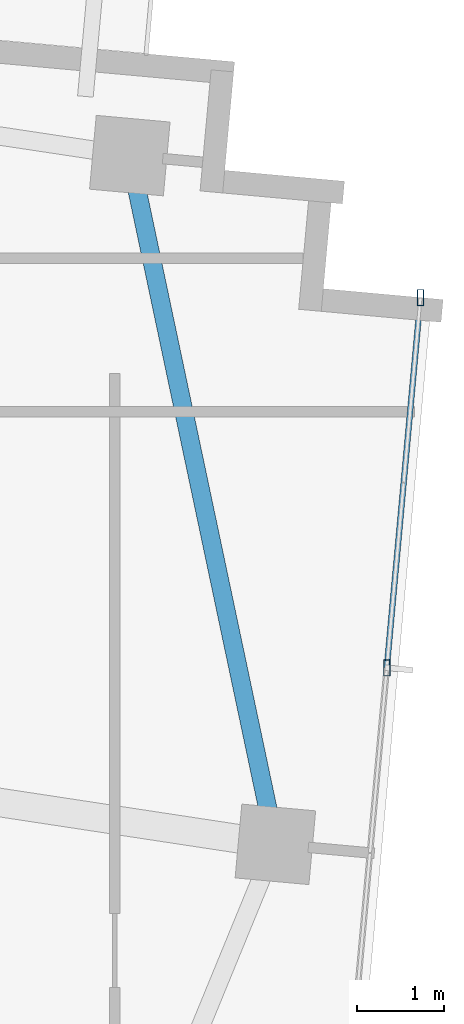
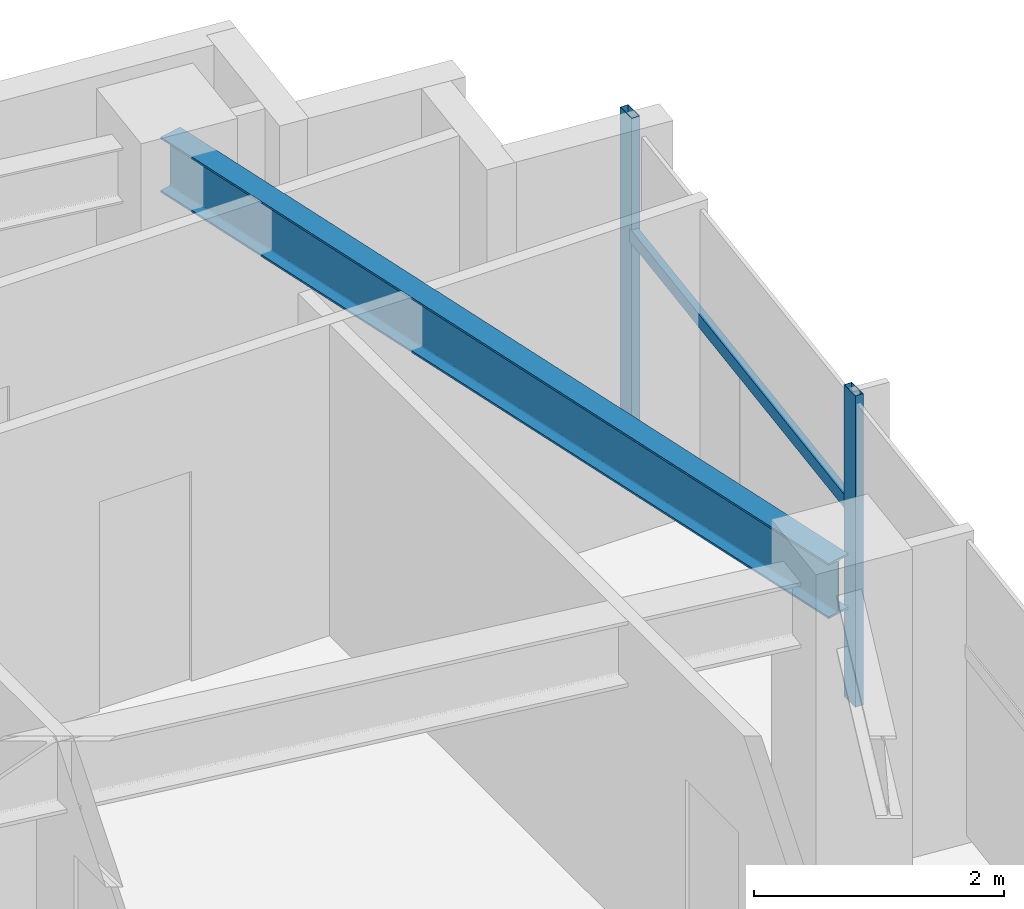
# One storey, part 14 of 22: 3 members, 1 beam, 1 element without a shape of its own.
"""IFC4 building model written with IfcOpenShell, lengths in metres."""

import ifcopenshell
import ifcopenshell.guid

model = None  # the IFC model being written
_history = None  # IfcOwnerHistory: only IFC2X3 demands one
_inside = {}  # id of a spatial element -> (the spatial element, [elements in it])
_under = {}  # id of a project, library or spatial element -> (it, [spatial elements below it])
_declared = {}  # id of a project -> (the project, [libraries it declares])
_typed = {}  # id of a type object -> (the type object, [elements of that type])
_made_of = {}  # id of a material, layer set ... -> (it, [elements and type objects made of it])


def new_model(schema):
    """Start an empty IFC model of exactly this schema.

    Asked for "IFC4X3", IfcOpenShell would pick the latest addendum, in which some entities
    have other attributes; the version numbers below select the first issue.
    IFC2X3 requires an IfcOwnerHistory on every rooted entity: one is made here for all.
    """
    global model, _history
    if schema == "IFC4X3":
        model = ifcopenshell.file(schema_version=(4, 3, 0, 0))
    else:
        model = ifcopenshell.file(schema=schema)
    _inside.clear()
    _under.clear()
    _declared.clear()
    _typed.clear()
    _made_of.clear()
    _history = None
    if model.schema == "IFC2X3":
        org = make("IfcOrganization", Name="unknown")
        user = make(
            "IfcPersonAndOrganization",
            ThePerson=make("IfcPerson", FamilyName="unknown"),
            TheOrganization=org,
        )
        app = make(
            "IfcApplication",
            ApplicationDeveloper=org,
            Version="unknown",
            ApplicationFullName="unknown",
            ApplicationIdentifier="unknown",
        )
        _history = make(
            "IfcOwnerHistory",
            OwningUser=user,
            OwningApplication=app,
            ChangeAction="ADDED",
            CreationDate=0,
        )
    return model


def make(cls, **values):
    """One entity of the class cls with the attributes given. An attribute that is None is left unset."""
    return model.create_entity(
        cls, **{name: value for name, value in values.items() if value is not None}
    )


def rooted(cls, **values):
    """An entity with a GlobalId (a new one), such as an element, a storey or a relation."""
    return make(cls, GlobalId=ifcopenshell.guid.new(), OwnerHistory=_history, **values)


def si_unit(unit_type, name, prefix=None):
    """IfcSIUnit, for example si_unit("LENGTHUNIT", "METRE", prefix="MILLI")."""
    return make("IfcSIUnit", UnitType=unit_type, Prefix=prefix, Name=name)


def assignment(units):
    """IfcUnitAssignment: the units of a project."""
    return None if units is None else make("IfcUnitAssignment", Units=units)


def point(xyz):
    """IfcCartesianPoint."""
    return None if xyz is None else make("IfcCartesianPoint", Coordinates=xyz)


def direction(xyz):
    """IfcDirection."""
    return None if xyz is None else make("IfcDirection", DirectionRatios=xyz)


def frame(location, z_axis=None, x_axis=None):
    """IfcAxis2Placement3D, a coordinate frame: its origin and axes. An axis left out is left unset."""
    return make(
        "IfcAxis2Placement3D",
        Location=point(location),
        Axis=direction(z_axis),
        RefDirection=direction(x_axis),
    )


def frame_2d(location, x_axis=None):
    """IfcAxis2Placement2D, a coordinate frame in the plane: its origin and x axis."""
    return make(
        "IfcAxis2Placement2D", Location=point(location), RefDirection=direction(x_axis)
    )


def origin():
    """The frame at (0, 0, 0) with its axes left unset."""
    return frame((0.0, 0.0, 0.0))


def origin_2d():
    """The frame at (0, 0) in the plane with its x axis left unset."""
    return frame_2d((0.0, 0.0))


def place(relative_to, where):
    """IfcLocalPlacement: puts the frame where relative to a parent placement (None: the world)."""
    return make(
        "IfcLocalPlacement", PlacementRelTo=relative_to, RelativePlacement=where
    )


def context(
    kind, dimensions, precision=None, world=None, true_north=None, identifier=None
):
    """IfcGeometricRepresentationContext, for example the 3D "Model" context."""
    return make(
        "IfcGeometricRepresentationContext",
        ContextIdentifier=identifier,
        ContextType=kind,
        CoordinateSpaceDimension=dimensions,
        Precision=precision,
        WorldCoordinateSystem=world,
        TrueNorth=true_north,
    )


def subcontext(parent, identifier, kind, view, scale=None):
    """IfcGeometricRepresentationSubContext, for example "Body" below "Model"."""
    return make(
        "IfcGeometricRepresentationSubContext",
        ContextIdentifier=identifier,
        ContextType=kind,
        ParentContext=parent,
        TargetScale=scale,
        TargetView=view,
    )


def project(units=None, contexts=None):
    """IfcProject with its units and contexts."""
    return rooted(
        "IfcProject",
        Name="project",
        RepresentationContexts=contexts,
        UnitsInContext=assignment(units),
    )


def spatial(cls, under=None, at=None, **own):
    """A site, building, storey or space (cls), placed at a placement, below another one or the project."""
    s = rooted(cls, ObjectPlacement=at, **own)
    if under is not None:
        _under.setdefault(under.id(), (under, []))[1].append(s)
    return s


def profile(cls, at=None, kind="AREA", **sizes):
    """A parametric profile (cls). Its sizes go by their IFC names, for example OverallWidth=200.0."""
    return make(cls, ProfileType=kind, Position=at, **sizes)


def hollow_rectangle(**sizes):
    """IfcRectangleHollowProfileDef."""
    return profile("IfcRectangleHollowProfileDef", **sizes)


def i_section(**sizes):
    """IfcIShapeProfileDef."""
    return profile("IfcIShapeProfileDef", **sizes)


def extrude(swept, where, along, depth):
    """IfcExtrudedAreaSolid: the profile swept, set in the frame where, extruded along a direction by depth."""
    return make(
        "IfcExtrudedAreaSolid",
        SweptArea=swept,
        Position=where,
        ExtrudedDirection=direction(along),
        Depth=depth,
    )


def shape(context_of_items, identifier, shape_type, items):
    """IfcShapeRepresentation: the items that make up one representation, for example the "Body"."""
    return make(
        "IfcShapeRepresentation",
        ContextOfItems=context_of_items,
        RepresentationIdentifier=identifier,
        RepresentationType=shape_type,
        Items=items,
    )


def source(mapping_origin, context_of_items, identifier, shape_type, items):
    """IfcRepresentationMap: a shape defined once, which mapped items show again and again."""
    return make(
        "IfcRepresentationMap",
        MappingOrigin=mapping_origin,
        MappedRepresentation=shape(context_of_items, identifier, shape_type, items),
    )


def transform(
    local_origin,
    x_axis=None,
    y_axis=None,
    z_axis=None,
    scale=None,
    scale2=None,
    scale3=None,
    uniform=True,
):
    """IfcCartesianTransformationOperator3D, or its non-uniform kind. x_axis, y_axis, z_axis: its Axis1, 2, 3."""
    if uniform:
        return make(
            "IfcCartesianTransformationOperator3D",
            Axis1=direction(x_axis),
            Axis2=direction(y_axis),
            LocalOrigin=point(local_origin),
            Scale=scale,
            Axis3=direction(z_axis),
        )
    return make(
        "IfcCartesianTransformationOperator3DnonUniform",
        Axis1=direction(x_axis),
        Axis2=direction(y_axis),
        LocalOrigin=point(local_origin),
        Scale=scale,
        Axis3=direction(z_axis),
        Scale2=scale2,
        Scale3=scale3,
    )


def mapped(mapping_source, mapping_target):
    """IfcMappedItem: shows the shape of a source again, moved by a transform."""
    return make(
        "IfcMappedItem", MappingSource=mapping_source, MappingTarget=mapping_target
    )


def material(Name=None, Category=None):
    """IfcMaterial."""
    return make("IfcMaterial", Name=Name, Category=Category)


def material_profile(
    of_material, cross_section, Name=None, Category=None, Priority=None
):
    """IfcMaterialProfile: a cross section and its material."""
    return make(
        "IfcMaterialProfile",
        Name=Name,
        Material=of_material,
        Profile=cross_section,
        Priority=Priority,
        Category=Category,
    )


def profile_set(profiles, Name=None, composite=None):
    """IfcMaterialProfileSet."""
    return make(
        "IfcMaterialProfileSet",
        Name=Name,
        MaterialProfiles=profiles,
        CompositeProfile=composite,
    )


def made_of(thing, what):
    """Note that an element or type object is made of a material, layer set ...; save() writes the relation."""
    if what is not None:
        _made_of.setdefault(what.id(), (what, []))[1].append(thing)
    return thing


def type_object(cls, material=None, **own):
    """A type object (cls), such as IfcWallType, which elements share."""
    return made_of(rooted(cls, **own), material)


def type_shapes(of_type, sources):
    """Give a type object the sources (RepresentationMaps) that its elements show as mapped items."""
    of_type.RepresentationMaps = sources


def element(
    cls,
    number,
    at=None,
    inside=None,
    cuts=None,
    type_object=None,
    material=None,
    context=None,
    identifier="Body",
    shape_type=None,
    held_by="IfcProductDefinitionShape",
    body=None,
    shapes=None,
    **own,
):
    """One element of the class cls, such as IfcWall. Its Tag is "e" and its number.

    at: its placement. inside: the storey or other place that contains it. cuts: it is an
    opening in that element (IfcRelVoidsElement). A single representation is given by context,
    identifier, shape_type and body (its items); several are given by shapes. held_by: the class
    of the entity that holds the representations. save() writes the other relations.
    """
    e = rooted(cls, Tag="e%d" % number, ObjectPlacement=at, **own)
    if body is not None:
        shapes = [shape(context, identifier, shape_type, body)]
    if shapes is not None:
        e.Representation = make(held_by, Representations=shapes)
    if inside is not None:
        _inside.setdefault(inside.id(), (inside, []))[1].append(e)
    if cuts is not None:
        rooted(
            "IfcRelVoidsElement", RelatingBuildingElement=cuts, RelatedOpeningElement=e
        )
    if type_object is not None:
        _typed.setdefault(type_object.id(), (type_object, []))[1].append(e)
    return made_of(e, material)


def aggregate(whole, parts):
    """IfcRelAggregates: a whole, such as a stair, and the parts it consists of."""
    return rooted("IfcRelAggregates", RelatingObject=whole, RelatedObjects=parts)


def save(model, path):
    """Write the relations noted so far, then the file.

    IfcRelAggregates (storeys below a building ...), IfcRelContainedInSpatialStructure (elements
    in a storey), IfcRelDefinesByType, IfcRelAssociatesMaterial and IfcRelDeclares: one each for
    every whole, place, type object, material and project.
    """
    for whole, parts in _under.values():
        aggregate(whole, parts)
    for where, things in _inside.values():
        rooted(
            "IfcRelContainedInSpatialStructure",
            RelatedElements=things,
            RelatingStructure=where,
        )
    for kind, things in _typed.values():
        rooted("IfcRelDefinesByType", RelatedObjects=things, RelatingType=kind)
    for what, things in _made_of.values():
        rooted("IfcRelAssociatesMaterial", RelatedObjects=things, RelatingMaterial=what)
    for by, libraries in _declared.values():
        rooted("IfcRelDeclares", RelatingContext=by, RelatedDefinitions=libraries)
    model.write(path)


model = new_model("IFC4")

# Units and contexts
model_context = context("Model", 3, precision=1e-05, world=origin(), true_north=direction((0.0, 1.0)))
body_context = subcontext(model_context, "Body", "Model", "MODEL_VIEW")
ifc_project = project(units=[si_unit("LENGTHUNIT", "METRE"), si_unit("AREAUNIT", "SQUARE_METRE"), si_unit("VOLUMEUNIT", "CUBIC_METRE"), si_unit("PLANEANGLEUNIT", "RADIAN"), si_unit("MASSUNIT", "GRAM", prefix="KILO")], contexts=[model_context])

# Site, building, storey
site_placement = place(None, origin())
site = spatial("IfcSite", under=ifc_project, at=site_placement, CompositionType="ELEMENT")
building_placement = place(site_placement, origin())
building = spatial("IfcBuilding", under=site, at=building_placement, Name="Astriad Promenade Condominiums", CompositionType="ELEMENT")
storey_placement = place(building_placement, frame((0.0, 0.0, 243.0)))
storey = spatial("IfcBuildingStorey", under=building, at=storey_placement, Name="L70", CompositionType="ELEMENT", Elevation=243.0)

# Beam
ifc_material_1 = material(Name="Steel ASTM A992 Grade 50", Category="steel")
ifc_material_profile_1 = material_profile(ifc_material_1, i_section(OverallWidth=0.210693359375, OverallDepth=0.53955078125, WebThickness=0.01171875, FlangeThickness=0.018798828125, FilletRadius=0.0166015625, at=origin_2d()), Name="W21X73")
ifc_profile_set_1 = profile_set([ifc_material_profile_1], Name="Steel ASTM A992 Grade 50")
beam_type = type_object("IfcBeamType", Name="STEEL SPANDREL BEAM W21X73", PredefinedType="SPANDREL", material=ifc_profile_set_1)
shared_shape_1 = source(origin(), body_context, "Body", "SweptSolid", [
    extrude(i_section(OverallWidth=0.210693359375, OverallDepth=0.53955078125, WebThickness=0.01171875, FlangeThickness=0.018798828125, FilletRadius=0.0166015625, at=origin_2d()), origin(), (0.0, 0.0, 1.0), 7.99853515625),
])
type_shapes(beam_type, [shared_shape_1])
beam_placement = place(storey_placement, frame((54.88037109375, 16.02880859375, 2.770263671875), z_axis=(-0.20676418926, 0.978390806396, 0.0), x_axis=(-0.978390806396, -0.20676418926, 0.0)))
element("IfcBeam", 1, at=beam_placement, inside=storey, type_object=beam_type, Name="Perimeter Spandrel Beam SP-E2-L70", PredefinedType="SPANDREL", context=body_context, shape_type="MappedRepresentation", body=[
    mapped(shared_shape_1, transform((0.0, 0.0, 0.0), scale=1.0)),
])

# Curtain wall, members
ifc_material_2 = material(Name="Anodised aluminium Black Dark Glass Unitised", Category="aluminium")
curtain_wall_type = type_object("IfcCurtainWallType", Name="CW-B5-DARK", PredefinedType="USERDEFINED", material=ifc_material_2)
curtain_wall_placement = place(storey_placement, origin())
curtain_wall = element("IfcCurtainWall", 2, at=curtain_wall_placement, inside=storey, type_object=curtain_wall_type, Name="CW-L70-E", ObjectType="UNITISED_CURTAIN_WALL", PredefinedType="USERDEFINED")
ifc_material_3 = material(Name="Anodised aluminium 6063-T6 Black", Category="aluminium")
ifc_material_profile_2 = material_profile(ifc_material_3, hollow_rectangle(XDim=0.06494140625, YDim=0.1298828125, WallThickness=0.00390625, at=origin_2d()), Name="ALU-TRN-65X130")
ifc_profile_set_2 = profile_set([ifc_material_profile_2], Name="Anodised aluminium 6063-T6 Black")
member_type_1 = type_object("IfcMemberType", Name="TRN-ALU-TRN-65X130", PredefinedType="USERDEFINED", material=ifc_profile_set_2)
shared_shape_2 = source(origin(), body_context, "Body", "SweptSolid", [
    extrude(hollow_rectangle(XDim=0.06494140625, YDim=0.1298828125, WallThickness=0.00390625, at=origin_2d()), origin(), (0.0, 0.0, 1.0), 4.2666015625),
])
type_shapes(member_type_1, [shared_shape_2])
member_1_placement = place(storey_placement, frame((56.55419921875, 22.2646484375, 1.884765625), z_axis=(-0.090638931954, -0.99588382054, 0.0), x_axis=(0.99588382054, -0.090638931954, 0.0)))
member_1 = element("IfcMember", 3, at=member_1_placement, type_object=member_type_1, Name="CW-L70-E-TRN-00-0", ObjectType="TRANSOM", PredefinedType="USERDEFINED", context=body_context, shape_type="MappedRepresentation", body=[
    mapped(shared_shape_2, transform((0.0, 0.0, 0.0), scale=1.0)),
])
ifc_material_profile_3 = material_profile(ifc_material_3, hollow_rectangle(XDim=0.074951171875, YDim=0.18505859375, WallThickness=0.00439453125, at=origin_2d()), Name="ALU-MUL-75X185")
ifc_profile_set_3 = profile_set([ifc_material_profile_3], Name="Anodised aluminium 6063-T6 Black")
member_type_2 = type_object("IfcMemberType", Name="MUL-ALU-MUL-75X185", PredefinedType="MULLION", material=ifc_profile_set_3)
shared_shape_3 = source(origin(), body_context, "Body", "SweptSolid", [
    extrude(hollow_rectangle(XDim=0.074951171875, YDim=0.18505859375, WallThickness=0.00439453125, at=origin_2d()), origin(), (0.0, 0.0, 1.0), 3.0400390625),
])
type_shapes(member_type_2, [shared_shape_3])
member_2_placement = place(storey_placement, frame((56.55419921875, 22.2646484375, 0.0), z_axis=(0.0, 0.0, 1.0), x_axis=(1.0, 0.0, 0.0)))
member_2 = element("IfcMember", 4, at=member_2_placement, type_object=member_type_2, Name="CW-L70-E-MUL-00", PredefinedType="MULLION", context=body_context, shape_type="MappedRepresentation", body=[
    mapped(shared_shape_3, transform((0.0, 0.0, 0.0), scale=1.0)),
])
member_3_placement = place(storey_placement, frame((56.16748046875, 18.015625, 0.0), z_axis=(0.0, 0.0, 1.0), x_axis=(1.0, 0.0, 0.0)))
member_3 = element("IfcMember", 5, at=member_3_placement, type_object=member_type_2, Name="CW-L70-E-MUL-01", PredefinedType="MULLION", context=body_context, shape_type="MappedRepresentation", body=[
    mapped(shared_shape_3, transform((0.0, 0.0, 0.0), scale=1.0)),
])
aggregate(curtain_wall, [member_2, member_3, member_1])

save(model, "model.ifc")
